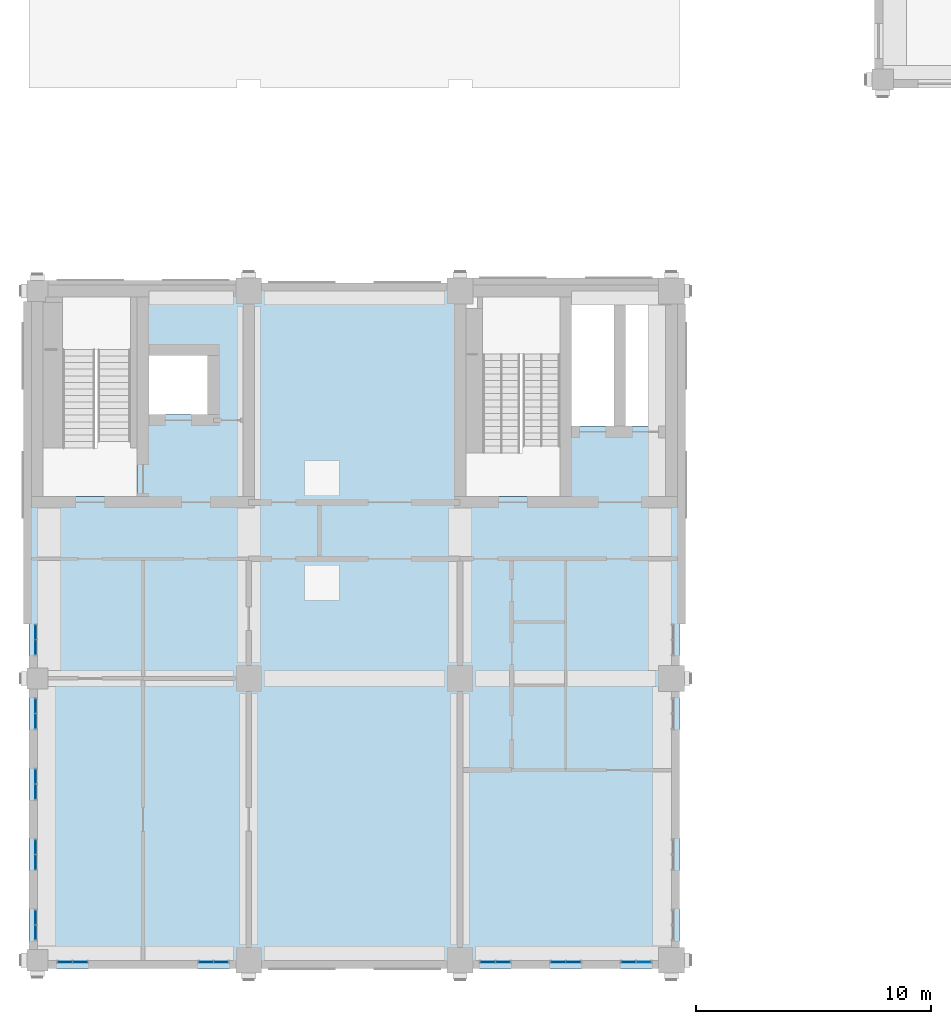
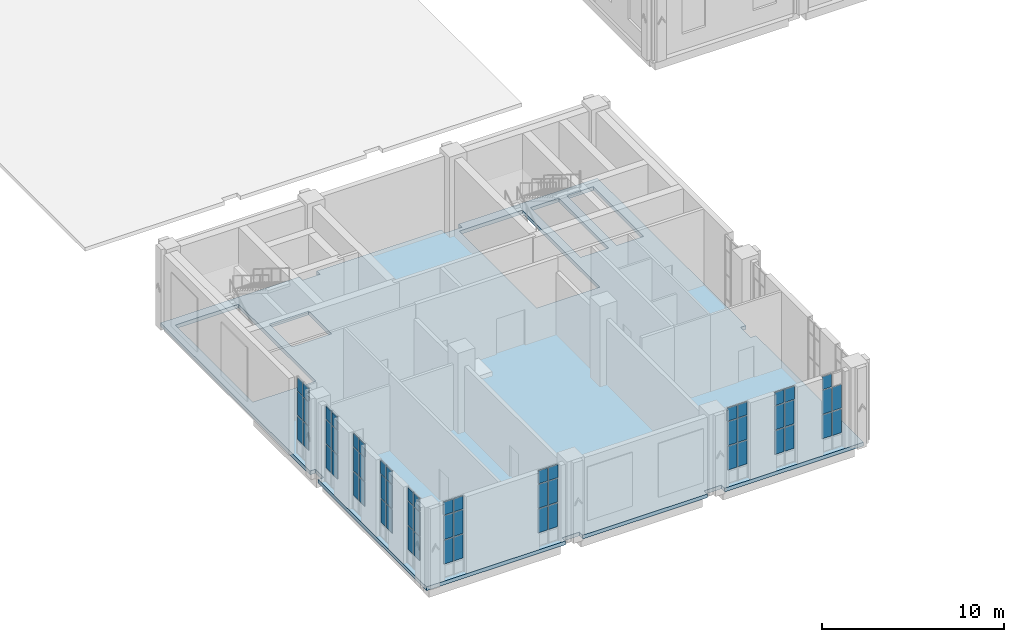
# One storey, part 13 of 33: 59 plates, 1 slab, 10 elements without a shape of their own.
"""IFC4 building model written with IfcOpenShell, lengths in metres."""

from ifc_helpers import new_model, si_unit, direction, frame, origin, origin_2d, place, context, subcontext, project, spatial, polyline, rectangle, outline, extrude, material, layer, layer_set, type_object, element, aggregate, save


model = new_model("IFC4")

# Units and contexts
model_context = context("Model", 3, precision=1e-05, world=origin(), true_north=direction((0.0, 1.0)))
body_context = subcontext(model_context, "Body", "Model", "MODEL_VIEW")
ifc_project = project(units=[si_unit("LENGTHUNIT", "METRE"), si_unit("AREAUNIT", "SQUARE_METRE"), si_unit("VOLUMEUNIT", "CUBIC_METRE"), si_unit("PLANEANGLEUNIT", "RADIAN"), si_unit("MASSUNIT", "GRAM", prefix="KILO")], contexts=[model_context])

# Site, building, storey
site_placement = place(None, origin())
site = spatial("IfcSite", under=ifc_project, at=site_placement, CompositionType="ELEMENT")
building_placement = place(site_placement, origin())
building = spatial("IfcBuilding", under=site, at=building_placement, Name="Aurelan Courthouse", CompositionType="ELEMENT")
storey_placement = place(building_placement, frame((0.0, 0.0, 22.800048828125)))
storey = spatial("IfcBuildingStorey", under=building, at=storey_placement, Name="L04", CompositionType="ELEMENT", Elevation=22.800048828125)

# Curtain wall, plates
ifc_material_1 = material(Name="Bronze-finished aluminium and glass", Category="aluminium")
ifc_layer_1 = layer(ifc_material_1, 0.14990234375)
ifc_layer_set_1 = layer_set([ifc_layer_1], Name="Bronze-finished aluminium and glass")
curtain_wall_type = type_object("IfcCurtainWallType", Name="Curtain wall 1350 x 5150", PredefinedType="NOTDEFINED", material=ifc_layer_set_1)
curtain_wall_1_placement = place(storey_placement, origin())
curtain_wall_1 = element("IfcCurtainWall", 1, at=curtain_wall_1_placement, inside=storey, type_object=curtain_wall_type, Name="Curtain wall CW-V5-L04-S01", PredefinedType="NOTDEFINED")
ifc_material_2 = material(Name="Limestone cladding", Category="masonry")
ifc_layer_2 = layer(ifc_material_2, 0.0400390625, Name="Facing")
ifc_material_3 = material(Name="Bronze sheet cladding", Category="bronze")
ifc_layer_3 = layer(ifc_material_3, 0.02001953125, Name="Back sheet")
ifc_layer_set_2 = layer_set([ifc_layer_2, ifc_layer_3], Name="Limestone cladding")
plate_type_1 = type_object("IfcPlateType", Name="Limestone spandrel panel with bronze back sheet 60", PredefinedType="CURTAIN_PANEL", material=ifc_layer_set_2)
plate_1_placement = place(storey_placement, frame((1.177490234375, -0.074951171875, 4.22998046875), z_axis=(0.0, 0.0, 1.0), x_axis=(1.0, 0.0, 0.0)))
plate_1 = element("IfcPlate", 2, at=plate_1_placement, type_object=plate_type_1, Name="CW-V5-L04-S01 spandrel panel 1.4", PredefinedType="CURTAIN_PANEL", context=body_context, shape_type="SweptSolid", body=[
    extrude(rectangle(XDim=0.5849609375, YDim=0.06005859375, at=origin_2d()), origin(), (0.0, 0.0, 1.0), 0.860107421875),
])
plate_2_placement = place(storey_placement, frame((1.822509765625, -0.074951171875, 4.22998046875), z_axis=(0.0, 0.0, 1.0), x_axis=(1.0, 0.0, 0.0)))
plate_2 = element("IfcPlate", 3, at=plate_2_placement, type_object=plate_type_1, Name="CW-V5-L04-S01 spandrel panel 2.4", PredefinedType="CURTAIN_PANEL", context=body_context, shape_type="SweptSolid", body=[
    extrude(rectangle(XDim=0.5849609375, YDim=0.06005859375, at=origin_2d()), origin(), (0.0, 0.0, 1.0), 0.860107421875),
])

curtain_wall_2_placement = place(storey_placement, origin())
curtain_wall_2 = element("IfcCurtainWall", 4, at=curtain_wall_2_placement, inside=storey, type_object=curtain_wall_type, Name="Curtain wall CW-V5-L04-S02", PredefinedType="NOTDEFINED")
plate_3_placement = place(storey_placement, frame((7.177490234375, -0.074951171875, 4.22998046875), z_axis=(0.0, 0.0, 1.0), x_axis=(1.0, 0.0, 0.0)))
plate_3 = element("IfcPlate", 5, at=plate_3_placement, type_object=plate_type_1, Name="CW-V5-L04-S02 spandrel panel 1.4", PredefinedType="CURTAIN_PANEL", context=body_context, shape_type="SweptSolid", body=[
    extrude(rectangle(XDim=0.5849609375, YDim=0.06005859375, at=origin_2d()), origin(), (0.0, 0.0, 1.0), 0.860107421875),
])
plate_4_placement = place(storey_placement, frame((7.822509765625, -0.074951171875, 4.22998046875), z_axis=(0.0, 0.0, 1.0), x_axis=(1.0, 0.0, 0.0)))
plate_4 = element("IfcPlate", 6, at=plate_4_placement, type_object=plate_type_1, Name="CW-V5-L04-S02 spandrel panel 2.4", PredefinedType="CURTAIN_PANEL", context=body_context, shape_type="SweptSolid", body=[
    extrude(rectangle(XDim=0.5849609375, YDim=0.06005859375, at=origin_2d()), origin(), (0.0, 0.0, 1.0), 0.860107421875),
])

curtain_wall_3_placement = place(storey_placement, origin())
curtain_wall_3 = element("IfcCurtainWall", 7, at=curtain_wall_3_placement, inside=storey, type_object=curtain_wall_type, Name="Curtain wall CW-V5-L04-S03", PredefinedType="NOTDEFINED")
plate_5_placement = place(storey_placement, frame((19.177490234375, -0.074951171875, 4.22998046875), z_axis=(0.0, 0.0, 1.0), x_axis=(1.0, 0.0, 0.0)))
plate_5 = element("IfcPlate", 8, at=plate_5_placement, type_object=plate_type_1, Name="CW-V5-L04-S03 spandrel panel 1.4", PredefinedType="CURTAIN_PANEL", context=body_context, shape_type="SweptSolid", body=[
    extrude(rectangle(XDim=0.5849609375, YDim=0.06005859375, at=origin_2d()), origin(), (0.0, 0.0, 1.0), 0.860107421875),
])
plate_6_placement = place(storey_placement, frame((19.822509765625, -0.074951171875, 4.22998046875), z_axis=(0.0, 0.0, 1.0), x_axis=(1.0, 0.0, 0.0)))
plate_6 = element("IfcPlate", 9, at=plate_6_placement, type_object=plate_type_1, Name="CW-V5-L04-S03 spandrel panel 2.4", PredefinedType="CURTAIN_PANEL", context=body_context, shape_type="SweptSolid", body=[
    extrude(rectangle(XDim=0.5849609375, YDim=0.06005859375, at=origin_2d()), origin(), (0.0, 0.0, 1.0), 0.860107421875),
])

curtain_wall_4_placement = place(storey_placement, origin())
curtain_wall_4 = element("IfcCurtainWall", 10, at=curtain_wall_4_placement, inside=storey, type_object=curtain_wall_type, Name="Curtain wall CW-V5-L04-S04", PredefinedType="NOTDEFINED")
plate_7_placement = place(storey_placement, frame((22.177490234375, -0.074951171875, 4.22998046875), z_axis=(0.0, 0.0, 1.0), x_axis=(1.0, 0.0, 0.0)))
plate_7 = element("IfcPlate", 11, at=plate_7_placement, type_object=plate_type_1, Name="CW-V5-L04-S04 spandrel panel 1.4", PredefinedType="CURTAIN_PANEL", context=body_context, shape_type="SweptSolid", body=[
    extrude(rectangle(XDim=0.5849609375, YDim=0.06005859375, at=origin_2d()), origin(), (0.0, 0.0, 1.0), 0.860107421875),
])
plate_8_placement = place(storey_placement, frame((22.822509765625, -0.074951171875, 4.22998046875), z_axis=(0.0, 0.0, 1.0), x_axis=(1.0, 0.0, 0.0)))
plate_8 = element("IfcPlate", 12, at=plate_8_placement, type_object=plate_type_1, Name="CW-V5-L04-S04 spandrel panel 2.4", PredefinedType="CURTAIN_PANEL", context=body_context, shape_type="SweptSolid", body=[
    extrude(rectangle(XDim=0.5849609375, YDim=0.06005859375, at=origin_2d()), origin(), (0.0, 0.0, 1.0), 0.860107421875),
])

# Curtain wall, plate
curtain_wall_5_placement = place(storey_placement, origin())
curtain_wall_5 = element("IfcCurtainWall", 13, at=curtain_wall_5_placement, inside=storey, type_object=curtain_wall_type, Name="Curtain wall CW-V5-L04-S05", PredefinedType="NOTDEFINED")
plate_9_placement = place(storey_placement, frame((25.177490234375, -0.074951171875, 4.22998046875), z_axis=(0.0, 0.0, 1.0), x_axis=(1.0, 0.0, 0.0)))
plate_9 = element("IfcPlate", 14, at=plate_9_placement, type_object=plate_type_1, Name="CW-V5-L04-S05 spandrel panel 1.4", PredefinedType="CURTAIN_PANEL", context=body_context, shape_type="SweptSolid", body=[
    extrude(rectangle(XDim=0.5849609375, YDim=0.06005859375, at=origin_2d()), origin(), (0.0, 0.0, 1.0), 0.860107421875),
])

# Curtain wall, plates
curtain_wall_6_placement = place(storey_placement, origin())
curtain_wall_6 = element("IfcCurtainWall", 15, at=curtain_wall_6_placement, inside=storey, type_object=curtain_wall_type, Name="Curtain wall CW-V5-L04-W01", PredefinedType="NOTDEFINED")
plate_10_placement = place(storey_placement, frame((-0.074951171875, 1.177490234375, 4.22998046875), z_axis=(0.0, 0.0, 1.0), x_axis=(0.0, 1.0, 0.0)))
plate_10 = element("IfcPlate", 16, at=plate_10_placement, type_object=plate_type_1, Name="CW-V5-L04-W01 spandrel panel 1.4", PredefinedType="CURTAIN_PANEL", context=body_context, shape_type="SweptSolid", body=[
    extrude(rectangle(XDim=0.5849609375, YDim=0.06005859375, at=origin_2d()), origin(), (0.0, 0.0, 1.0), 0.860107421875),
])
plate_11_placement = place(storey_placement, frame((-0.074951171875, 1.822509765625, 4.22998046875), z_axis=(0.0, 0.0, 1.0), x_axis=(0.0, 1.0, 0.0)))
plate_11 = element("IfcPlate", 17, at=plate_11_placement, type_object=plate_type_1, Name="CW-V5-L04-W01 spandrel panel 2.4", PredefinedType="CURTAIN_PANEL", context=body_context, shape_type="SweptSolid", body=[
    extrude(rectangle(XDim=0.5849609375, YDim=0.06005859375, at=origin_2d()), origin(), (0.0, 0.0, 1.0), 0.860107421875),
])

curtain_wall_7_placement = place(storey_placement, origin())
curtain_wall_7 = element("IfcCurtainWall", 18, at=curtain_wall_7_placement, inside=storey, type_object=curtain_wall_type, Name="Curtain wall CW-V5-L04-W02", PredefinedType="NOTDEFINED")
plate_12_placement = place(storey_placement, frame((-0.074951171875, 4.177490234375, 4.22998046875), z_axis=(0.0, 0.0, 1.0), x_axis=(0.0, 1.0, 0.0)))
plate_12 = element("IfcPlate", 19, at=plate_12_placement, type_object=plate_type_1, Name="CW-V5-L04-W02 spandrel panel 1.4", PredefinedType="CURTAIN_PANEL", context=body_context, shape_type="SweptSolid", body=[
    extrude(rectangle(XDim=0.5849609375, YDim=0.06005859375, at=origin_2d()), origin(), (0.0, 0.0, 1.0), 0.860107421875),
])
plate_13_placement = place(storey_placement, frame((-0.074951171875, 4.822509765625, 4.22998046875), z_axis=(0.0, 0.0, 1.0), x_axis=(0.0, 1.0, 0.0)))
plate_13 = element("IfcPlate", 20, at=plate_13_placement, type_object=plate_type_1, Name="CW-V5-L04-W02 spandrel panel 2.4", PredefinedType="CURTAIN_PANEL", context=body_context, shape_type="SweptSolid", body=[
    extrude(rectangle(XDim=0.5849609375, YDim=0.06005859375, at=origin_2d()), origin(), (0.0, 0.0, 1.0), 0.860107421875),
])

curtain_wall_8_placement = place(storey_placement, origin())
curtain_wall_8 = element("IfcCurtainWall", 21, at=curtain_wall_8_placement, inside=storey, type_object=curtain_wall_type, Name="Curtain wall CW-V5-L04-W03", PredefinedType="NOTDEFINED")
plate_14_placement = place(storey_placement, frame((-0.074951171875, 7.177490234375, 4.22998046875), z_axis=(0.0, 0.0, 1.0), x_axis=(0.0, 1.0, 0.0)))
plate_14 = element("IfcPlate", 22, at=plate_14_placement, type_object=plate_type_1, Name="CW-V5-L04-W03 spandrel panel 1.4", PredefinedType="CURTAIN_PANEL", context=body_context, shape_type="SweptSolid", body=[
    extrude(rectangle(XDim=0.5849609375, YDim=0.06005859375, at=origin_2d()), origin(), (0.0, 0.0, 1.0), 0.860107421875),
])
plate_15_placement = place(storey_placement, frame((-0.074951171875, 7.822509765625, 4.22998046875), z_axis=(0.0, 0.0, 1.0), x_axis=(0.0, 1.0, 0.0)))
plate_15 = element("IfcPlate", 23, at=plate_15_placement, type_object=plate_type_1, Name="CW-V5-L04-W03 spandrel panel 2.4", PredefinedType="CURTAIN_PANEL", context=body_context, shape_type="SweptSolid", body=[
    extrude(rectangle(XDim=0.5849609375, YDim=0.06005859375, at=origin_2d()), origin(), (0.0, 0.0, 1.0), 0.860107421875),
])

curtain_wall_9_placement = place(storey_placement, origin())
curtain_wall_9 = element("IfcCurtainWall", 24, at=curtain_wall_9_placement, inside=storey, type_object=curtain_wall_type, Name="Curtain wall CW-V5-L04-W04", PredefinedType="NOTDEFINED")
plate_16_placement = place(storey_placement, frame((-0.074951171875, 10.177490234375, 4.22998046875), z_axis=(0.0, 0.0, 1.0), x_axis=(0.0, 1.0, 0.0)))
plate_16 = element("IfcPlate", 25, at=plate_16_placement, type_object=plate_type_1, Name="CW-V5-L04-W04 spandrel panel 1.4", PredefinedType="CURTAIN_PANEL", context=body_context, shape_type="SweptSolid", body=[
    extrude(rectangle(XDim=0.5849609375, YDim=0.06005859375, at=origin_2d()), origin(), (0.0, 0.0, 1.0), 0.860107421875),
])
plate_17_placement = place(storey_placement, frame((-0.074951171875, 10.822509765625, 4.22998046875), z_axis=(0.0, 0.0, 1.0), x_axis=(0.0, 1.0, 0.0)))
plate_17 = element("IfcPlate", 26, at=plate_17_placement, type_object=plate_type_1, Name="CW-V5-L04-W04 spandrel panel 2.4", PredefinedType="CURTAIN_PANEL", context=body_context, shape_type="SweptSolid", body=[
    extrude(rectangle(XDim=0.5849609375, YDim=0.06005859375, at=origin_2d()), origin(), (0.0, 0.0, 1.0), 0.860107421875),
])

curtain_wall_10_placement = place(storey_placement, origin())
curtain_wall_10 = element("IfcCurtainWall", 27, at=curtain_wall_10_placement, inside=storey, type_object=curtain_wall_type, Name="Curtain wall CW-V5-L04-W05", PredefinedType="NOTDEFINED")
plate_18_placement = place(storey_placement, frame((-0.074951171875, 13.327392578125, 4.22998046875), z_axis=(0.0, 0.0, 1.0), x_axis=(0.0, 1.0, 0.0)))
plate_18 = element("IfcPlate", 28, at=plate_18_placement, type_object=plate_type_1, Name="CW-V5-L04-W05 spandrel panel 1.4", PredefinedType="CURTAIN_PANEL", context=body_context, shape_type="SweptSolid", body=[
    extrude(rectangle(XDim=0.5849609375, YDim=0.06005859375, at=origin_2d()), origin(), (0.0, 0.0, 1.0), 0.860107421875),
])
plate_19_placement = place(storey_placement, frame((-0.074951171875, 13.972412109375, 4.22998046875), z_axis=(0.0, 0.0, 1.0), x_axis=(0.0, 1.0, 0.0)))
plate_19 = element("IfcPlate", 29, at=plate_19_placement, type_object=plate_type_1, Name="CW-V5-L04-W05 spandrel panel 2.4", PredefinedType="CURTAIN_PANEL", context=body_context, shape_type="SweptSolid", body=[
    extrude(rectangle(XDim=0.5849609375, YDim=0.06005859375, at=origin_2d()), origin(), (0.0, 0.0, 1.0), 0.860107421875),
])

# Slab
ifc_material_4 = material(Name="Concrete C40", Category="concrete")
ifc_layer_4 = layer(ifc_material_4, 0.25)
ifc_layer_set_3 = layer_set([ifc_layer_4], Name="Concrete C40")
slab_type = type_object("IfcSlabType", Name="PT floor slab 250", PredefinedType="FLOOR", material=ifc_layer_set_3)
slab_placement = place(storey_placement, frame((0.0, 0.0, -0.25)))
element("IfcSlab", 30, at=slab_placement, inside=storey, type_object=slab_type, Name="Floor slab SL-L04-03", PredefinedType="FLOOR", context=body_context, shape_type="SweptSolid", body=[
    extrude(outline(polyline([(0.0, 12.449951171875), (0.0, 11.550048828125), (-0.35009765625, 11.550048828125), (-0.35009765625, 0.449951171875), (-0.35009765625, -0.35009765625), (0.449951171875, -0.35009765625), (8.449951171875, -0.35009765625), (8.449951171875, 0.0), (9.550048828125, 0.0), (9.550048828125, -0.35009765625), (17.449951171875, -0.35009765625), (17.449951171875, 0.0), (18.550048828125, 0.0), (18.550048828125, -0.35009765625), (26.449951171875, -0.35009765625), (27.35009765625, -0.35009765625), (27.35009765625, 0.550048828125), (27.35009765625, 11.449951171875), (27.0, 11.449951171875), (27.0, 12.550048828125), (27.35009765625, 12.550048828125), (27.35009765625, 27.949951171875), (27.35009765625, 28.85009765625), (26.449951171875, 28.85009765625), (18.550048828125, 28.85009765625), (18.550048828125, 28.5), (17.449951171875, 28.5), (17.449951171875, 28.85009765625), (9.550048828125, 28.85009765625), (9.550048828125, 28.5), (8.449951171875, 28.5), (8.449951171875, 28.85009765625), (0.449951171875, 28.85009765625), (-0.35009765625, 28.85009765625), (-0.35009765625, 28.050048828125), (-0.35009765625, 12.449951171875), (0.0, 12.449951171875)]), holes=[polyline([(26.75, 28.25), (26.75, 22.75), (25.050048828125, 22.75), (25.050048828125, 28.25), (26.75, 28.25)]), polyline([(22.75, 28.25), (24.550048828125, 28.25), (24.550048828125, 22.75), (22.75, 22.75), (22.75, 28.25)]), polyline([(22.25, 28.25), (22.25, 19.75), (18.25, 19.75), (18.25, 28.25), (22.25, 28.25)]), polyline([(4.75, 23.25), (4.75, 25.75), (7.25, 25.75), (7.25, 23.25), (4.75, 23.25)]), polyline([(4.25, 19.75), (0.25, 19.75), (0.25, 28.25), (4.25, 28.25), (4.25, 19.75)])]), origin(), (0.0, 0.0, 1.0), 0.25),
])

# Plate
ifc_material_5 = material(Name="Laminated low-emissivity glass", Category="glass")
ifc_layer_5 = layer(ifc_material_5, 0.028076171875)
ifc_layer_set_4 = layer_set([ifc_layer_5], Name="Laminated low-emissivity glass")
plate_type_2 = type_object("IfcPlateType", Name="Vision glass panel 28", PredefinedType="CURTAIN_PANEL", material=ifc_layer_set_4)
plate_20_placement = place(storey_placement, frame((1.177490234375, -0.074951171875, 0.9296875), z_axis=(0.0, 0.0, 1.0), x_axis=(1.0, 0.0, 0.0)))
plate_20 = element("IfcPlate", 31, at=plate_20_placement, type_object=plate_type_2, Name="CW-V5-L04-S01 vision panel 1.2", PredefinedType="CURTAIN_PANEL", context=body_context, shape_type="SweptSolid", body=[
    extrude(rectangle(XDim=0.5849609375, YDim=0.028076171875, at=origin_2d()), origin(), (0.0, 0.0, 1.0), 1.590087890625),
])

plate_21_placement = place(storey_placement, frame((1.177490234375, -0.074951171875, 2.580078125), z_axis=(0.0, 0.0, 1.0), x_axis=(1.0, 0.0, 0.0)))
plate_21 = element("IfcPlate", 32, at=plate_21_placement, type_object=plate_type_2, Name="CW-V5-L04-S01 vision panel 1.3", PredefinedType="CURTAIN_PANEL", context=body_context, shape_type="SweptSolid", body=[
    extrude(rectangle(XDim=0.5849609375, YDim=0.028076171875, at=origin_2d()), origin(), (0.0, 0.0, 1.0), 1.590087890625),
])

plate_22_placement = place(storey_placement, frame((1.822509765625, -0.074951171875, 0.9296875), z_axis=(0.0, 0.0, 1.0), x_axis=(1.0, 0.0, 0.0)))
plate_22 = element("IfcPlate", 33, at=plate_22_placement, type_object=plate_type_2, Name="CW-V5-L04-S01 vision panel 2.2", PredefinedType="CURTAIN_PANEL", context=body_context, shape_type="SweptSolid", body=[
    extrude(rectangle(XDim=0.5849609375, YDim=0.028076171875, at=origin_2d()), origin(), (0.0, 0.0, 1.0), 1.590087890625),
])

plate_23_placement = place(storey_placement, frame((1.822509765625, -0.074951171875, 2.580078125), z_axis=(0.0, 0.0, 1.0), x_axis=(1.0, 0.0, 0.0)))
plate_23 = element("IfcPlate", 34, at=plate_23_placement, type_object=plate_type_2, Name="CW-V5-L04-S01 vision panel 2.3", PredefinedType="CURTAIN_PANEL", context=body_context, shape_type="SweptSolid", body=[
    extrude(rectangle(XDim=0.5849609375, YDim=0.028076171875, at=origin_2d()), origin(), (0.0, 0.0, 1.0), 1.590087890625),
])

aggregate(curtain_wall_1, [plate_20, plate_21, plate_1, plate_22, plate_23, plate_2])

plate_24_placement = place(storey_placement, frame((7.177490234375, -0.074951171875, 0.9296875), z_axis=(0.0, 0.0, 1.0), x_axis=(1.0, 0.0, 0.0)))
plate_24 = element("IfcPlate", 35, at=plate_24_placement, type_object=plate_type_2, Name="CW-V5-L04-S02 vision panel 1.2", PredefinedType="CURTAIN_PANEL", context=body_context, shape_type="SweptSolid", body=[
    extrude(rectangle(XDim=0.5849609375, YDim=0.028076171875, at=origin_2d()), origin(), (0.0, 0.0, 1.0), 1.590087890625),
])

plate_25_placement = place(storey_placement, frame((7.177490234375, -0.074951171875, 2.580078125), z_axis=(0.0, 0.0, 1.0), x_axis=(1.0, 0.0, 0.0)))
plate_25 = element("IfcPlate", 36, at=plate_25_placement, type_object=plate_type_2, Name="CW-V5-L04-S02 vision panel 1.3", PredefinedType="CURTAIN_PANEL", context=body_context, shape_type="SweptSolid", body=[
    extrude(rectangle(XDim=0.5849609375, YDim=0.028076171875, at=origin_2d()), origin(), (0.0, 0.0, 1.0), 1.590087890625),
])

plate_26_placement = place(storey_placement, frame((7.822509765625, -0.074951171875, 0.9296875), z_axis=(0.0, 0.0, 1.0), x_axis=(1.0, 0.0, 0.0)))
plate_26 = element("IfcPlate", 37, at=plate_26_placement, type_object=plate_type_2, Name="CW-V5-L04-S02 vision panel 2.2", PredefinedType="CURTAIN_PANEL", context=body_context, shape_type="SweptSolid", body=[
    extrude(rectangle(XDim=0.5849609375, YDim=0.028076171875, at=origin_2d()), origin(), (0.0, 0.0, 1.0), 1.590087890625),
])

plate_27_placement = place(storey_placement, frame((7.822509765625, -0.074951171875, 2.580078125), z_axis=(0.0, 0.0, 1.0), x_axis=(1.0, 0.0, 0.0)))
plate_27 = element("IfcPlate", 38, at=plate_27_placement, type_object=plate_type_2, Name="CW-V5-L04-S02 vision panel 2.3", PredefinedType="CURTAIN_PANEL", context=body_context, shape_type="SweptSolid", body=[
    extrude(rectangle(XDim=0.5849609375, YDim=0.028076171875, at=origin_2d()), origin(), (0.0, 0.0, 1.0), 1.590087890625),
])

aggregate(curtain_wall_2, [plate_24, plate_25, plate_3, plate_26, plate_27, plate_4])

plate_28_placement = place(storey_placement, frame((19.177490234375, -0.074951171875, 0.9296875), z_axis=(0.0, 0.0, 1.0), x_axis=(1.0, 0.0, 0.0)))
plate_28 = element("IfcPlate", 39, at=plate_28_placement, type_object=plate_type_2, Name="CW-V5-L04-S03 vision panel 1.2", PredefinedType="CURTAIN_PANEL", context=body_context, shape_type="SweptSolid", body=[
    extrude(rectangle(XDim=0.5849609375, YDim=0.028076171875, at=origin_2d()), origin(), (0.0, 0.0, 1.0), 1.590087890625),
])

plate_29_placement = place(storey_placement, frame((19.177490234375, -0.074951171875, 2.580078125), z_axis=(0.0, 0.0, 1.0), x_axis=(1.0, 0.0, 0.0)))
plate_29 = element("IfcPlate", 40, at=plate_29_placement, type_object=plate_type_2, Name="CW-V5-L04-S03 vision panel 1.3", PredefinedType="CURTAIN_PANEL", context=body_context, shape_type="SweptSolid", body=[
    extrude(rectangle(XDim=0.5849609375, YDim=0.028076171875, at=origin_2d()), origin(), (0.0, 0.0, 1.0), 1.590087890625),
])

plate_30_placement = place(storey_placement, frame((19.822509765625, -0.074951171875, 0.9296875), z_axis=(0.0, 0.0, 1.0), x_axis=(1.0, 0.0, 0.0)))
plate_30 = element("IfcPlate", 41, at=plate_30_placement, type_object=plate_type_2, Name="CW-V5-L04-S03 vision panel 2.2", PredefinedType="CURTAIN_PANEL", context=body_context, shape_type="SweptSolid", body=[
    extrude(rectangle(XDim=0.5849609375, YDim=0.028076171875, at=origin_2d()), origin(), (0.0, 0.0, 1.0), 1.590087890625),
])

plate_31_placement = place(storey_placement, frame((19.822509765625, -0.074951171875, 2.580078125), z_axis=(0.0, 0.0, 1.0), x_axis=(1.0, 0.0, 0.0)))
plate_31 = element("IfcPlate", 42, at=plate_31_placement, type_object=plate_type_2, Name="CW-V5-L04-S03 vision panel 2.3", PredefinedType="CURTAIN_PANEL", context=body_context, shape_type="SweptSolid", body=[
    extrude(rectangle(XDim=0.5849609375, YDim=0.028076171875, at=origin_2d()), origin(), (0.0, 0.0, 1.0), 1.590087890625),
])

aggregate(curtain_wall_3, [plate_28, plate_29, plate_5, plate_30, plate_31, plate_6])

plate_32_placement = place(storey_placement, frame((22.177490234375, -0.074951171875, 0.9296875), z_axis=(0.0, 0.0, 1.0), x_axis=(1.0, 0.0, 0.0)))
plate_32 = element("IfcPlate", 43, at=plate_32_placement, type_object=plate_type_2, Name="CW-V5-L04-S04 vision panel 1.2", PredefinedType="CURTAIN_PANEL", context=body_context, shape_type="SweptSolid", body=[
    extrude(rectangle(XDim=0.5849609375, YDim=0.028076171875, at=origin_2d()), origin(), (0.0, 0.0, 1.0), 1.590087890625),
])

plate_33_placement = place(storey_placement, frame((22.177490234375, -0.074951171875, 2.580078125), z_axis=(0.0, 0.0, 1.0), x_axis=(1.0, 0.0, 0.0)))
plate_33 = element("IfcPlate", 44, at=plate_33_placement, type_object=plate_type_2, Name="CW-V5-L04-S04 vision panel 1.3", PredefinedType="CURTAIN_PANEL", context=body_context, shape_type="SweptSolid", body=[
    extrude(rectangle(XDim=0.5849609375, YDim=0.028076171875, at=origin_2d()), origin(), (0.0, 0.0, 1.0), 1.590087890625),
])

plate_34_placement = place(storey_placement, frame((22.822509765625, -0.074951171875, 0.9296875), z_axis=(0.0, 0.0, 1.0), x_axis=(1.0, 0.0, 0.0)))
plate_34 = element("IfcPlate", 45, at=plate_34_placement, type_object=plate_type_2, Name="CW-V5-L04-S04 vision panel 2.2", PredefinedType="CURTAIN_PANEL", context=body_context, shape_type="SweptSolid", body=[
    extrude(rectangle(XDim=0.5849609375, YDim=0.028076171875, at=origin_2d()), origin(), (0.0, 0.0, 1.0), 1.590087890625),
])

plate_35_placement = place(storey_placement, frame((22.822509765625, -0.074951171875, 2.580078125), z_axis=(0.0, 0.0, 1.0), x_axis=(1.0, 0.0, 0.0)))
plate_35 = element("IfcPlate", 46, at=plate_35_placement, type_object=plate_type_2, Name="CW-V5-L04-S04 vision panel 2.3", PredefinedType="CURTAIN_PANEL", context=body_context, shape_type="SweptSolid", body=[
    extrude(rectangle(XDim=0.5849609375, YDim=0.028076171875, at=origin_2d()), origin(), (0.0, 0.0, 1.0), 1.590087890625),
])

aggregate(curtain_wall_4, [plate_32, plate_33, plate_7, plate_34, plate_35, plate_8])

plate_36_placement = place(storey_placement, frame((25.177490234375, -0.074951171875, 0.9296875), z_axis=(0.0, 0.0, 1.0), x_axis=(1.0, 0.0, 0.0)))
plate_36 = element("IfcPlate", 47, at=plate_36_placement, type_object=plate_type_2, Name="CW-V5-L04-S05 vision panel 1.2", PredefinedType="CURTAIN_PANEL", context=body_context, shape_type="SweptSolid", body=[
    extrude(rectangle(XDim=0.5849609375, YDim=0.028076171875, at=origin_2d()), origin(), (0.0, 0.0, 1.0), 1.590087890625),
])

plate_37_placement = place(storey_placement, frame((25.177490234375, -0.074951171875, 2.580078125), z_axis=(0.0, 0.0, 1.0), x_axis=(1.0, 0.0, 0.0)))
plate_37 = element("IfcPlate", 48, at=plate_37_placement, type_object=plate_type_2, Name="CW-V5-L04-S05 vision panel 1.3", PredefinedType="CURTAIN_PANEL", context=body_context, shape_type="SweptSolid", body=[
    extrude(rectangle(XDim=0.5849609375, YDim=0.028076171875, at=origin_2d()), origin(), (0.0, 0.0, 1.0), 1.590087890625),
])

plate_38_placement = place(storey_placement, frame((25.822509765625, -0.074951171875, 0.9296875), z_axis=(0.0, 0.0, 1.0), x_axis=(1.0, 0.0, 0.0)))
plate_38 = element("IfcPlate", 49, at=plate_38_placement, type_object=plate_type_2, Name="CW-V5-L04-S05 vision panel 2.2", PredefinedType="CURTAIN_PANEL", context=body_context, shape_type="SweptSolid", body=[
    extrude(rectangle(XDim=0.5849609375, YDim=0.028076171875, at=origin_2d()), origin(), (0.0, 0.0, 1.0), 1.590087890625),
])

plate_39_placement = place(storey_placement, frame((25.822509765625, -0.074951171875, 2.580078125), z_axis=(0.0, 0.0, 1.0), x_axis=(1.0, 0.0, 0.0)))
plate_39 = element("IfcPlate", 50, at=plate_39_placement, type_object=plate_type_2, Name="CW-V5-L04-S05 vision panel 2.3", PredefinedType="CURTAIN_PANEL", context=body_context, shape_type="SweptSolid", body=[
    extrude(rectangle(XDim=0.5849609375, YDim=0.028076171875, at=origin_2d()), origin(), (0.0, 0.0, 1.0), 1.590087890625),
])

aggregate(curtain_wall_5, [plate_36, plate_37, plate_9, plate_38, plate_39])

plate_40_placement = place(storey_placement, frame((-0.074951171875, 1.177490234375, 0.9296875), z_axis=(0.0, 0.0, 1.0), x_axis=(0.0, 1.0, 0.0)))
plate_40 = element("IfcPlate", 51, at=plate_40_placement, type_object=plate_type_2, Name="CW-V5-L04-W01 vision panel 1.2", PredefinedType="CURTAIN_PANEL", context=body_context, shape_type="SweptSolid", body=[
    extrude(rectangle(XDim=0.5849609375, YDim=0.028076171875, at=origin_2d()), origin(), (0.0, 0.0, 1.0), 1.590087890625),
])

plate_41_placement = place(storey_placement, frame((-0.074951171875, 1.177490234375, 2.580078125), z_axis=(0.0, 0.0, 1.0), x_axis=(0.0, 1.0, 0.0)))
plate_41 = element("IfcPlate", 52, at=plate_41_placement, type_object=plate_type_2, Name="CW-V5-L04-W01 vision panel 1.3", PredefinedType="CURTAIN_PANEL", context=body_context, shape_type="SweptSolid", body=[
    extrude(rectangle(XDim=0.5849609375, YDim=0.028076171875, at=origin_2d()), origin(), (0.0, 0.0, 1.0), 1.590087890625),
])

plate_42_placement = place(storey_placement, frame((-0.074951171875, 1.822509765625, 0.9296875), z_axis=(0.0, 0.0, 1.0), x_axis=(0.0, 1.0, 0.0)))
plate_42 = element("IfcPlate", 53, at=plate_42_placement, type_object=plate_type_2, Name="CW-V5-L04-W01 vision panel 2.2", PredefinedType="CURTAIN_PANEL", context=body_context, shape_type="SweptSolid", body=[
    extrude(rectangle(XDim=0.5849609375, YDim=0.028076171875, at=origin_2d()), origin(), (0.0, 0.0, 1.0), 1.590087890625),
])

plate_43_placement = place(storey_placement, frame((-0.074951171875, 1.822509765625, 2.580078125), z_axis=(0.0, 0.0, 1.0), x_axis=(0.0, 1.0, 0.0)))
plate_43 = element("IfcPlate", 54, at=plate_43_placement, type_object=plate_type_2, Name="CW-V5-L04-W01 vision panel 2.3", PredefinedType="CURTAIN_PANEL", context=body_context, shape_type="SweptSolid", body=[
    extrude(rectangle(XDim=0.5849609375, YDim=0.028076171875, at=origin_2d()), origin(), (0.0, 0.0, 1.0), 1.590087890625),
])

aggregate(curtain_wall_6, [plate_40, plate_41, plate_10, plate_42, plate_43, plate_11])

plate_44_placement = place(storey_placement, frame((-0.074951171875, 4.177490234375, 0.9296875), z_axis=(0.0, 0.0, 1.0), x_axis=(0.0, 1.0, 0.0)))
plate_44 = element("IfcPlate", 55, at=plate_44_placement, type_object=plate_type_2, Name="CW-V5-L04-W02 vision panel 1.2", PredefinedType="CURTAIN_PANEL", context=body_context, shape_type="SweptSolid", body=[
    extrude(rectangle(XDim=0.5849609375, YDim=0.028076171875, at=origin_2d()), origin(), (0.0, 0.0, 1.0), 1.590087890625),
])

plate_45_placement = place(storey_placement, frame((-0.074951171875, 4.177490234375, 2.580078125), z_axis=(0.0, 0.0, 1.0), x_axis=(0.0, 1.0, 0.0)))
plate_45 = element("IfcPlate", 56, at=plate_45_placement, type_object=plate_type_2, Name="CW-V5-L04-W02 vision panel 1.3", PredefinedType="CURTAIN_PANEL", context=body_context, shape_type="SweptSolid", body=[
    extrude(rectangle(XDim=0.5849609375, YDim=0.028076171875, at=origin_2d()), origin(), (0.0, 0.0, 1.0), 1.590087890625),
])

plate_46_placement = place(storey_placement, frame((-0.074951171875, 4.822509765625, 0.9296875), z_axis=(0.0, 0.0, 1.0), x_axis=(0.0, 1.0, 0.0)))
plate_46 = element("IfcPlate", 57, at=plate_46_placement, type_object=plate_type_2, Name="CW-V5-L04-W02 vision panel 2.2", PredefinedType="CURTAIN_PANEL", context=body_context, shape_type="SweptSolid", body=[
    extrude(rectangle(XDim=0.5849609375, YDim=0.028076171875, at=origin_2d()), origin(), (0.0, 0.0, 1.0), 1.590087890625),
])

plate_47_placement = place(storey_placement, frame((-0.074951171875, 4.822509765625, 2.580078125), z_axis=(0.0, 0.0, 1.0), x_axis=(0.0, 1.0, 0.0)))
plate_47 = element("IfcPlate", 58, at=plate_47_placement, type_object=plate_type_2, Name="CW-V5-L04-W02 vision panel 2.3", PredefinedType="CURTAIN_PANEL", context=body_context, shape_type="SweptSolid", body=[
    extrude(rectangle(XDim=0.5849609375, YDim=0.028076171875, at=origin_2d()), origin(), (0.0, 0.0, 1.0), 1.590087890625),
])

aggregate(curtain_wall_7, [plate_44, plate_45, plate_12, plate_46, plate_47, plate_13])

plate_48_placement = place(storey_placement, frame((-0.074951171875, 7.177490234375, 0.9296875), z_axis=(0.0, 0.0, 1.0), x_axis=(0.0, 1.0, 0.0)))
plate_48 = element("IfcPlate", 59, at=plate_48_placement, type_object=plate_type_2, Name="CW-V5-L04-W03 vision panel 1.2", PredefinedType="CURTAIN_PANEL", context=body_context, shape_type="SweptSolid", body=[
    extrude(rectangle(XDim=0.5849609375, YDim=0.028076171875, at=origin_2d()), origin(), (0.0, 0.0, 1.0), 1.590087890625),
])

plate_49_placement = place(storey_placement, frame((-0.074951171875, 7.177490234375, 2.580078125), z_axis=(0.0, 0.0, 1.0), x_axis=(0.0, 1.0, 0.0)))
plate_49 = element("IfcPlate", 60, at=plate_49_placement, type_object=plate_type_2, Name="CW-V5-L04-W03 vision panel 1.3", PredefinedType="CURTAIN_PANEL", context=body_context, shape_type="SweptSolid", body=[
    extrude(rectangle(XDim=0.5849609375, YDim=0.028076171875, at=origin_2d()), origin(), (0.0, 0.0, 1.0), 1.590087890625),
])

plate_50_placement = place(storey_placement, frame((-0.074951171875, 7.822509765625, 0.9296875), z_axis=(0.0, 0.0, 1.0), x_axis=(0.0, 1.0, 0.0)))
plate_50 = element("IfcPlate", 61, at=plate_50_placement, type_object=plate_type_2, Name="CW-V5-L04-W03 vision panel 2.2", PredefinedType="CURTAIN_PANEL", context=body_context, shape_type="SweptSolid", body=[
    extrude(rectangle(XDim=0.5849609375, YDim=0.028076171875, at=origin_2d()), origin(), (0.0, 0.0, 1.0), 1.590087890625),
])

plate_51_placement = place(storey_placement, frame((-0.074951171875, 7.822509765625, 2.580078125), z_axis=(0.0, 0.0, 1.0), x_axis=(0.0, 1.0, 0.0)))
plate_51 = element("IfcPlate", 62, at=plate_51_placement, type_object=plate_type_2, Name="CW-V5-L04-W03 vision panel 2.3", PredefinedType="CURTAIN_PANEL", context=body_context, shape_type="SweptSolid", body=[
    extrude(rectangle(XDim=0.5849609375, YDim=0.028076171875, at=origin_2d()), origin(), (0.0, 0.0, 1.0), 1.590087890625),
])

aggregate(curtain_wall_8, [plate_48, plate_49, plate_14, plate_50, plate_51, plate_15])

plate_52_placement = place(storey_placement, frame((-0.074951171875, 10.177490234375, 0.9296875), z_axis=(0.0, 0.0, 1.0), x_axis=(0.0, 1.0, 0.0)))
plate_52 = element("IfcPlate", 63, at=plate_52_placement, type_object=plate_type_2, Name="CW-V5-L04-W04 vision panel 1.2", PredefinedType="CURTAIN_PANEL", context=body_context, shape_type="SweptSolid", body=[
    extrude(rectangle(XDim=0.5849609375, YDim=0.028076171875, at=origin_2d()), origin(), (0.0, 0.0, 1.0), 1.590087890625),
])

plate_53_placement = place(storey_placement, frame((-0.074951171875, 10.177490234375, 2.580078125), z_axis=(0.0, 0.0, 1.0), x_axis=(0.0, 1.0, 0.0)))
plate_53 = element("IfcPlate", 64, at=plate_53_placement, type_object=plate_type_2, Name="CW-V5-L04-W04 vision panel 1.3", PredefinedType="CURTAIN_PANEL", context=body_context, shape_type="SweptSolid", body=[
    extrude(rectangle(XDim=0.5849609375, YDim=0.028076171875, at=origin_2d()), origin(), (0.0, 0.0, 1.0), 1.590087890625),
])

plate_54_placement = place(storey_placement, frame((-0.074951171875, 10.822509765625, 0.9296875), z_axis=(0.0, 0.0, 1.0), x_axis=(0.0, 1.0, 0.0)))
plate_54 = element("IfcPlate", 65, at=plate_54_placement, type_object=plate_type_2, Name="CW-V5-L04-W04 vision panel 2.2", PredefinedType="CURTAIN_PANEL", context=body_context, shape_type="SweptSolid", body=[
    extrude(rectangle(XDim=0.5849609375, YDim=0.028076171875, at=origin_2d()), origin(), (0.0, 0.0, 1.0), 1.590087890625),
])

plate_55_placement = place(storey_placement, frame((-0.074951171875, 10.822509765625, 2.580078125), z_axis=(0.0, 0.0, 1.0), x_axis=(0.0, 1.0, 0.0)))
plate_55 = element("IfcPlate", 66, at=plate_55_placement, type_object=plate_type_2, Name="CW-V5-L04-W04 vision panel 2.3", PredefinedType="CURTAIN_PANEL", context=body_context, shape_type="SweptSolid", body=[
    extrude(rectangle(XDim=0.5849609375, YDim=0.028076171875, at=origin_2d()), origin(), (0.0, 0.0, 1.0), 1.590087890625),
])

aggregate(curtain_wall_9, [plate_52, plate_53, plate_16, plate_54, plate_55, plate_17])

plate_56_placement = place(storey_placement, frame((-0.074951171875, 13.327392578125, 0.9296875), z_axis=(0.0, 0.0, 1.0), x_axis=(0.0, 1.0, 0.0)))
plate_56 = element("IfcPlate", 67, at=plate_56_placement, type_object=plate_type_2, Name="CW-V5-L04-W05 vision panel 1.2", PredefinedType="CURTAIN_PANEL", context=body_context, shape_type="SweptSolid", body=[
    extrude(rectangle(XDim=0.5849609375, YDim=0.028076171875, at=origin_2d()), origin(), (0.0, 0.0, 1.0), 1.590087890625),
])

plate_57_placement = place(storey_placement, frame((-0.074951171875, 13.327392578125, 2.580078125), z_axis=(0.0, 0.0, 1.0), x_axis=(0.0, 1.0, 0.0)))
plate_57 = element("IfcPlate", 68, at=plate_57_placement, type_object=plate_type_2, Name="CW-V5-L04-W05 vision panel 1.3", PredefinedType="CURTAIN_PANEL", context=body_context, shape_type="SweptSolid", body=[
    extrude(rectangle(XDim=0.5849609375, YDim=0.028076171875, at=origin_2d()), origin(), (0.0, 0.0, 1.0), 1.590087890625),
])

plate_58_placement = place(storey_placement, frame((-0.074951171875, 13.972412109375, 0.9296875), z_axis=(0.0, 0.0, 1.0), x_axis=(0.0, 1.0, 0.0)))
plate_58 = element("IfcPlate", 69, at=plate_58_placement, type_object=plate_type_2, Name="CW-V5-L04-W05 vision panel 2.2", PredefinedType="CURTAIN_PANEL", context=body_context, shape_type="SweptSolid", body=[
    extrude(rectangle(XDim=0.5849609375, YDim=0.028076171875, at=origin_2d()), origin(), (0.0, 0.0, 1.0), 1.590087890625),
])

plate_59_placement = place(storey_placement, frame((-0.074951171875, 13.972412109375, 2.580078125), z_axis=(0.0, 0.0, 1.0), x_axis=(0.0, 1.0, 0.0)))
plate_59 = element("IfcPlate", 70, at=plate_59_placement, type_object=plate_type_2, Name="CW-V5-L04-W05 vision panel 2.3", PredefinedType="CURTAIN_PANEL", context=body_context, shape_type="SweptSolid", body=[
    extrude(rectangle(XDim=0.5849609375, YDim=0.028076171875, at=origin_2d()), origin(), (0.0, 0.0, 1.0), 1.590087890625),
])

aggregate(curtain_wall_10, [plate_56, plate_57, plate_18, plate_58, plate_59, plate_19])

save(model, "model.ifc")
